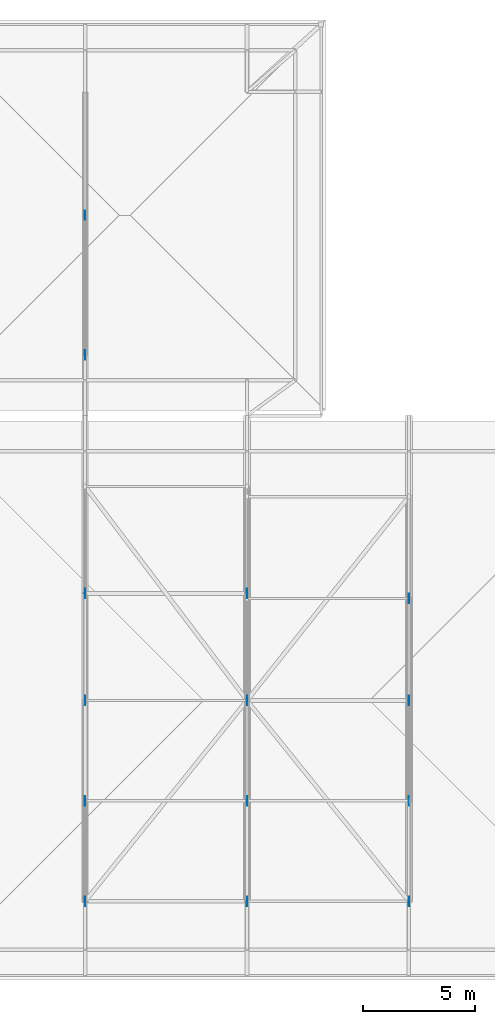
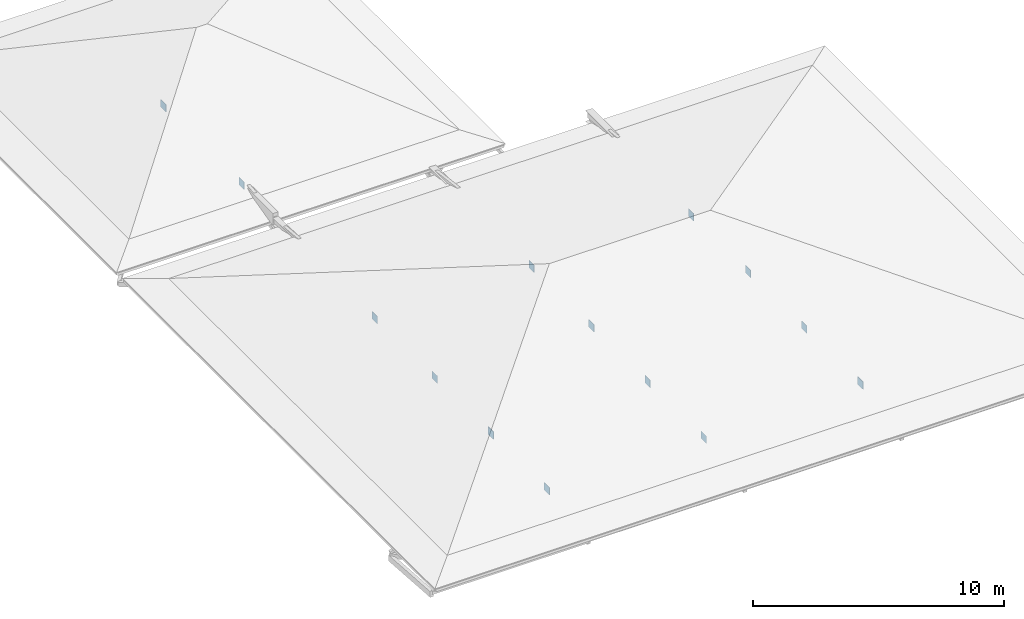
# One storey, part 13 of 19: 14 plates.
"""IFC4 building model written with IfcOpenShell, lengths in metres."""

from ifc_helpers import new_model, si_unit, direction, frame, origin, origin_2d, place, context, subcontext, project, spatial, rectangle, extrude, material, layer, layer_set, type_object, element, save


model = new_model("IFC4")

# Units and contexts
model_context = context("Model", 3, precision=1e-05, world=origin(), true_north=direction((0.0, 1.0)))
body_context = subcontext(model_context, "Body", "Model", "MODEL_VIEW")
ifc_project = project(units=[si_unit("LENGTHUNIT", "METRE"), si_unit("AREAUNIT", "SQUARE_METRE"), si_unit("VOLUMEUNIT", "CUBIC_METRE"), si_unit("PLANEANGLEUNIT", "RADIAN"), si_unit("MASSUNIT", "GRAM", prefix="KILO")], contexts=[model_context])

# Site, building, storey
site_placement = place(None, origin())
site = spatial("IfcSite", under=ifc_project, at=site_placement, CompositionType="ELEMENT")
building_placement = place(site_placement, origin())
building = spatial("IfcBuilding", under=site, at=building_placement, Name="Steenspoor Specialist Clinic", CompositionType="ELEMENT")
storey_placement = place(building_placement, frame((0.0, 0.0, 21.60009765625)))
storey = spatial("IfcBuildingStorey", under=building, at=storey_placement, Name="L05", CompositionType="ELEMENT", Elevation=21.60009765625)

# Plates
ifc_material = material(Name="Steel A572 Grade 50", Category="steel")
ifc_layer_1 = layer(ifc_material, 0.010009765625)
ifc_layer_set_1 = layer_set([ifc_layer_1], Name="Steel A572 Grade 50")
plate_type_1 = type_object("IfcPlateType", Name="PL-CAP-10", PredefinedType="SHEET", material=ifc_layer_set_1)
for number, where, z_axis, x_axis, name in (
    (1, (125.199951171875, 81.284912109375, 0.1015625), (0.0, 0.0, 1.0), (1.0, 0.0, 0.0), "Truss Gusset Plate GP-10"),
    (2, (132.39990234375, 72.35009765625, 0.07373046875), (0.0, 0.0, 1.0), (1.0, 0.0, 0.0), "Truss Gusset Plate GP-10"),
    (3, (132.39990234375, 86.04248046875, 0.07373046875), (0.0, 0.0, 1.0), (1.0, 0.0, 0.0), "Truss Gusset Plate GP-10"),
    (4, (139.60009765625, 76.8173828125, 0.19140625), (0.0, 0.0, 1.0), (1.0, 0.0, 0.0), "Truss Gusset Plate GP-10"),
):
    element("IfcPlate", number, at=place(storey_placement, frame(where, z_axis=z_axis, x_axis=x_axis)), inside=storey, type_object=plate_type_1, Name=name, PredefinedType="SHEET", context=body_context, shape_type="SweptSolid", body=[
        extrude(rectangle(XDim=0.010009765625, YDim=0.419921875, at=origin_2d()), origin(), (0.0, 0.0, 1.0), 0.360107421875),
    ])
ifc_layer_2 = layer(ifc_material, 0.01611328125)
ifc_layer_set_2 = layer_set([ifc_layer_2], Name="Steel A572 Grade 50")
plate_type_2 = type_object("IfcPlateType", Name="PL-GUS-16", PredefinedType="SHEET", material=ifc_layer_set_2)
for number, where, z_axis, x_axis, name in (
    (5, (125.199951171875, 72.35009765625, 0.1015625), (0.0, 0.0, 1.0), (1.0, 0.0, 0.0), "Truss Gusset Plate GP-16"),
    (6, (125.199951171875, 86.04248046875, 0.1015625), (0.0, 0.0, 1.0), (1.0, 0.0, 0.0), "Truss Gusset Plate GP-16"),
    (7, (132.39990234375, 76.8173828125, 0.07373046875), (0.0, 0.0, 1.0), (1.0, 0.0, 0.0), "Truss Gusset Plate GP-16"),
    (8, (139.60009765625, 81.284912109375, 0.19140625), (0.0, 0.0, 1.0), (1.0, 0.0, 0.0), "Truss Gusset Plate GP-16"),
    (9, (125.199951171875, 96.64990234375, 0.19970703125), (0.0, 0.0, 1.0), (1.0, 0.0, 0.0), "Truss Gusset Plate GP-16"),
):
    element("IfcPlate", number, at=place(storey_placement, frame(where, z_axis=z_axis, x_axis=x_axis)), inside=storey, type_object=plate_type_2, Name=name, PredefinedType="SHEET", context=body_context, shape_type="SweptSolid", body=[
        extrude(rectangle(XDim=0.01611328125, YDim=0.419921875, at=origin_2d()), origin(), (0.0, 0.0, 1.0), 0.360107421875),
    ])
ifc_layer_3 = layer(ifc_material, 0.02392578125)
ifc_layer_set_3 = layer_set([ifc_layer_3], Name="Steel A572 Grade 50")
plate_type_3 = type_object("IfcPlateType", Name="PL-GUS-24", PredefinedType="SHEET", material=ifc_layer_set_3)
for number, where, z_axis, x_axis, name in (
    (10, (125.199951171875, 76.8173828125, 0.1015625), (0.0, 0.0, 1.0), (1.0, 0.0, 0.0), "Truss Gusset Plate GP-24"),
    (11, (132.39990234375, 81.284912109375, 0.07373046875), (0.0, 0.0, 1.0), (1.0, 0.0, 0.0), "Truss Gusset Plate GP-24"),
    (12, (139.60009765625, 72.35009765625, 0.19140625), (0.0, 0.0, 1.0), (1.0, 0.0, 0.0), "Truss Gusset Plate GP-24"),
    (13, (139.60009765625, 85.8173828125, 0.19140625), (0.0, 0.0, 1.0), (1.0, 0.0, 0.0), "Truss Gusset Plate GP-24"),
    (14, (125.199951171875, 102.864990234375, 0.19970703125), (0.0, 0.0, 1.0), (1.0, 0.0, 0.0), "Truss Gusset Plate GP-24"),
):
    element("IfcPlate", number, at=place(storey_placement, frame(where, z_axis=z_axis, x_axis=x_axis)), inside=storey, type_object=plate_type_3, Name=name, PredefinedType="SHEET", context=body_context, shape_type="SweptSolid", body=[
        extrude(rectangle(XDim=0.02392578125, YDim=0.419921875, at=origin_2d()), origin(), (0.0, 0.0, 1.0), 0.360107421875),
    ])

save(model, "model.ifc")
